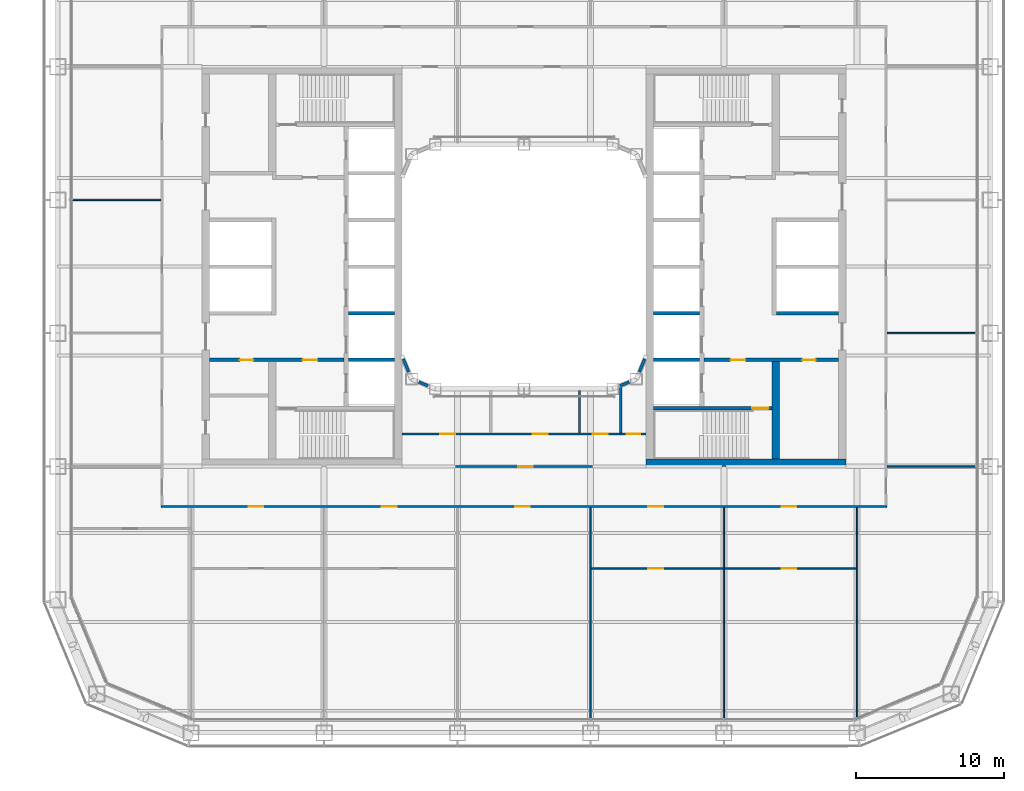
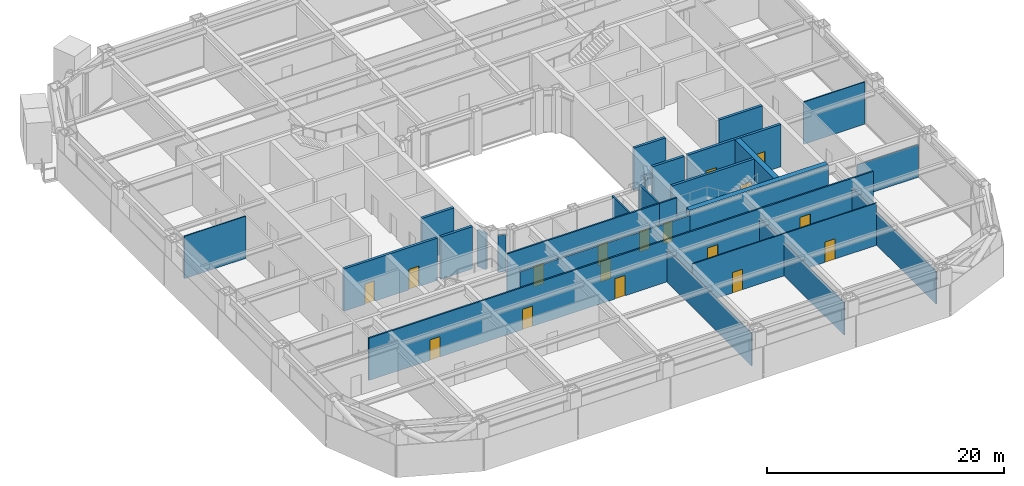
# One storey, part 13 of 28: 28 walls, 17 doors, 17 openings.
"""IFC4 building model written with IfcOpenShell, lengths in metres."""

from ifc_helpers import new_model, si_unit, direction, frame, frame_2d, origin, place, context, subcontext, project, spatial, rectangle, extrude, material, layer, layer_set, type_object, element, fill, save


model = new_model("IFC4")

# Units and contexts
model_context = context("Model", 3, precision=1e-05, world=origin(), true_north=direction((0.0, 1.0)))
body_context = subcontext(model_context, "Body", "Model", "MODEL_VIEW")
ifc_project = project(units=[si_unit("LENGTHUNIT", "METRE"), si_unit("AREAUNIT", "SQUARE_METRE"), si_unit("VOLUMEUNIT", "CUBIC_METRE"), si_unit("PLANEANGLEUNIT", "RADIAN"), si_unit("MASSUNIT", "GRAM", prefix="KILO")], contexts=[model_context])

# Site, building, storey
site_placement = place(None, origin())
site = spatial("IfcSite", under=ifc_project, at=site_placement, CompositionType="ELEMENT")
building_placement = place(site_placement, origin())
building = spatial("IfcBuilding", under=site, at=building_placement, Name="Siwar Civic Tower", CompositionType="ELEMENT")
storey_placement = place(building_placement, frame((0.0, 0.0, 31.199951171875)))
storey = spatial("IfcBuildingStorey", under=building, at=storey_placement, Name="L06", CompositionType="ELEMENT", Elevation=31.199951171875)

# Wall, opening, door
ifc_material_1 = material(Name="Gypsum board on steel studs", Category="steel")
ifc_layer_1 = layer(ifc_material_1, 0.14990234375)
ifc_layer_set_1 = layer_set([ifc_layer_1], Name="Gypsum board on steel studs")
wall_type_1 = type_object("IfcWallType", Name="COMPARTMENT PARTITION 150 EI 60", PredefinedType="PARTITIONING", material=ifc_layer_set_1)
wall_1_placement = place(storey_placement, frame((6.5400390625, -11.300048828125, 0.0), z_axis=(0.0, 0.0, 1.0), x_axis=(1.0, 0.0, 0.0)))
wall_1 = element("IfcWall", 1, at=wall_1_placement, inside=storey, type_object=wall_type_1, Name="L06/wall/P09", PredefinedType="PARTITIONING", context=body_context, shape_type="SweptSolid", body=[
    extrude(rectangle(XDim=1.7099609375, YDim=0.14990234375, at=frame_2d((0.85498046875, 0.0))), origin(), (0.0, 0.0, 1.0), 4.35009765625),
])
opening_1_placement = place(wall_1_placement, frame((0.409912109375, 0.0, 0.0)))
opening_1 = element("IfcOpeningElement", 2, at=opening_1_placement, cuts=wall_1, Name="Opening D4", PredefinedType="OPENING", context=body_context, shape_type="SweptSolid", body=[
    extrude(rectangle(XDim=0.89990234375, YDim=2.10009765625, at=frame_2d((0.449951171875, 1.050048828125))), frame((0.0, 0.0849609375, 0.0), z_axis=(0.0, -1.0, 0.0), x_axis=(1.0, 0.0, 0.0)), (0.0, 0.0, 1.0), 0.169921875),
])
ifc_material_2 = material(Name="Timber, painted", Category="wood")
door_type_1 = type_object("IfcDoorType", Name="DOOR 900 X 2100 FD60", OperationType="SINGLE_SWING_LEFT", PredefinedType="DOOR", material=ifc_material_2)
door_1_placement = place(opening_1_placement, origin())
door_1 = element("IfcDoor", 3, at=door_1_placement, inside=storey, type_object=door_type_1, Name="L06-D37", OperationType="SINGLE_SWING_LEFT", OverallHeight=2.10009765625, OverallWidth=0.89990234375, PredefinedType="DOOR", context=body_context, shape_type="SweptSolid", body=[
    extrude(rectangle(XDim=0.89990234375, YDim=2.10009765625, at=frame_2d((0.449951171875, 1.050048828125))), frame((0.0, 0.02490234375, 0.0), z_axis=(0.0, -1.0, 0.0), x_axis=(1.0, 0.0, 0.0)), (0.0, 0.0, 1.0), 0.050048828125),
])
fill(opening_1, door_1)

# Wall
wall_2_placement = place(storey_placement, frame((6.5400390625, -11.22509765625, 0.0), z_axis=(0.0, 0.0, 1.0), x_axis=(0.0, 1.0, 0.0)))
element("IfcWall", 4, at=wall_2_placement, inside=storey, type_object=wall_type_1, Name="L06/wall/P35", PredefinedType="PARTITIONING", context=body_context, shape_type="SweptSolid", body=[
    extrude(rectangle(XDim=3.049072265625, YDim=0.14990234375, at=frame_2d((1.5244140625, 0.0))), origin(), (0.0, 0.0, 1.0), 4.35009765625),
])

# Wall, openings, doors
ifc_material_3 = material(Name="Concrete C60/75", Category="concrete")
ifc_layer_2 = layer(ifc_material_3, 0.25)
ifc_layer_set_2 = layer_set([ifc_layer_2], Name="Concrete C60/75")
wall_type_2 = type_object("IfcWallType", Name="CORE-WALL-RC250", PredefinedType="SHEAR", material=ifc_layer_set_2)
wall_3_placement = place(storey_placement, frame((-12.14990234375, -6.300048828125, 0.0), z_axis=(0.0, 0.0, 1.0), x_axis=(-1.0, 0.0, 0.0)))
wall_3 = element("IfcWall", 5, at=wall_3_placement, inside=storey, type_object=wall_type_2, Name="Core wall W", PredefinedType="SHEAR", context=body_context, shape_type="SweptSolid", body=[
    extrude(rectangle(XDim=9.10009765625, YDim=0.25, at=frame_2d((4.550048828125, 0.0))), origin(), (0.0, 0.0, 1.0), 4.35009765625),
])
opening_2_placement = place(wall_3_placement, frame((1.800048828125, 0.0, 0.0)))
opening_2 = element("IfcOpeningElement", 6, at=opening_2_placement, cuts=wall_3, Name="Opening L06-CW02", PredefinedType="OPENING", context=body_context, shape_type="SweptSolid", body=[
    extrude(rectangle(XDim=1.0, YDim=2.10009765625, at=frame_2d((0.5, 1.050048828125))), frame((0.0, 0.135009765625, 0.0), z_axis=(0.0, -1.0, 0.0), x_axis=(1.0, 0.0, 0.0)), (0.0, 0.0, 1.0), 0.27001953125),
])
opening_3_placement = place(wall_3_placement, frame((6.14990234375, 0.0, 0.0)))
opening_3 = element("IfcOpeningElement", 7, at=opening_3_placement, cuts=wall_3, Name="Opening L06-CW14", PredefinedType="OPENING", context=body_context, shape_type="SweptSolid", body=[
    extrude(rectangle(XDim=0.89990234375, YDim=2.10009765625, at=frame_2d((0.449951171875, 1.050048828125))), frame((0.0, 0.135009765625, 0.0), z_axis=(0.0, -1.0, 0.0), x_axis=(1.0, 0.0, 0.0)), (0.0, 0.0, 1.0), 0.27001953125),
])
ifc_material_4 = material(Name="Steel door leaf", Category="steel")
door_type_2 = type_object("IfcDoorType", Name="CORE-DOOR-FD30S", OperationType="SINGLE_SWING_LEFT", PredefinedType="DOOR", material=ifc_material_4)
door_2_placement = place(opening_2_placement, origin())
door_2 = element("IfcDoor", 8, at=door_2_placement, inside=storey, type_object=door_type_2, Name="Service lobby door L06-CW02", OperationType="SINGLE_SWING_RIGHT", OverallHeight=2.10009765625, OverallWidth=1.0, PredefinedType="DOOR", context=body_context, shape_type="SweptSolid", body=[
    extrude(rectangle(XDim=1.0, YDim=2.10009765625, at=frame_2d((0.5, 1.050048828125))), frame((0.0, 0.02490234375, 0.0), z_axis=(0.0, -1.0, 0.0), x_axis=(1.0, 0.0, 0.0)), (0.0, 0.0, 1.0), 0.050048828125),
])
fill(opening_2, door_2)
ifc_material_5 = material(Name="Steel door leaf", Category="steel")
door_type_3 = type_object("IfcDoorType", Name="CORE-DOOR-ROOM", OperationType="SINGLE_SWING_LEFT", PredefinedType="DOOR", material=ifc_material_5)
door_3_placement = place(opening_3_placement, origin())
door_3 = element("IfcDoor", 9, at=door_3_placement, inside=storey, type_object=door_type_3, Name="Core room door L06-CW14", OperationType="SINGLE_SWING_RIGHT", OverallHeight=2.10009765625, OverallWidth=0.89990234375, PredefinedType="DOOR", context=body_context, shape_type="SweptSolid", body=[
    extrude(rectangle(XDim=0.89990234375, YDim=2.10009765625, at=frame_2d((0.449951171875, 1.050048828125))), frame((0.0, 0.02490234375, 0.0), z_axis=(0.0, -1.0, 0.0), x_axis=(1.0, 0.0, 0.0)), (0.0, 0.0, 1.0), 0.050048828125),
])
fill(opening_3, door_3)

# Walls
for number, where, z_axis, x_axis, name in (
    (10, (-8.75, -3.14990234375, 0.0), (0.0, 0.0, 1.0), (-1.0, 0.0, 0.0), "Core wall W"),
    (11, (-8.75, -6.300048828125, 0.0), (0.0, 0.0, 1.0), (-1.0, 0.0, 0.0), "Core wall W"),
):
    element("IfcWall", number, at=place(storey_placement, frame(where, z_axis=z_axis, x_axis=x_axis)), inside=storey, type_object=wall_type_2, Name=name, PredefinedType="SHEAR", context=body_context, shape_type="SweptSolid", body=[
        extrude(rectangle(XDim=3.10009765625, YDim=0.25, at=frame_2d((1.550048828125, 0.0))), origin(), (0.0, 0.0, 1.0), 4.35009765625),
    ])

# Wall, openings, doors
wall_4_placement = place(storey_placement, frame((12.14990234375, -6.300048828125, 0.0), z_axis=(0.0, 0.0, 1.0), x_axis=(1.0, 0.0, 0.0)))
wall_4 = element("IfcWall", 12, at=wall_4_placement, inside=storey, type_object=wall_type_2, Name="Core wall E", PredefinedType="SHEAR", context=body_context, shape_type="SweptSolid", body=[
    extrude(rectangle(XDim=9.10009765625, YDim=0.25, at=frame_2d((4.550048828125, 0.0))), origin(), (0.0, 0.0, 1.0), 4.35009765625),
])
opening_4_placement = place(wall_4_placement, frame((1.800048828125, 0.0, 0.0)))
opening_4 = element("IfcOpeningElement", 13, at=opening_4_placement, cuts=wall_4, Name="Opening L06-CE02", PredefinedType="OPENING", context=body_context, shape_type="SweptSolid", body=[
    extrude(rectangle(XDim=1.0, YDim=2.10009765625, at=frame_2d((0.5, 1.050048828125))), frame((0.0, 0.135009765625, 0.0), z_axis=(0.0, -1.0, 0.0), x_axis=(1.0, 0.0, 0.0)), (0.0, 0.0, 1.0), 0.27001953125),
])
opening_5_placement = place(wall_4_placement, frame((6.64990234375, 0.0, 0.0)))
opening_5 = element("IfcOpeningElement", 14, at=opening_5_placement, cuts=wall_4, Name="Opening L06-CE15", PredefinedType="OPENING", context=body_context, shape_type="SweptSolid", body=[
    extrude(rectangle(XDim=0.89990234375, YDim=2.10009765625, at=frame_2d((0.449951171875, 1.050048828125))), frame((0.0, 0.135009765625, 0.0), z_axis=(0.0, -1.0, 0.0), x_axis=(1.0, 0.0, 0.0)), (0.0, 0.0, 1.0), 0.27001953125),
])
door_4_placement = place(opening_4_placement, origin())
door_4 = element("IfcDoor", 15, at=door_4_placement, inside=storey, type_object=door_type_2, Name="Service lobby door L06-CE02", OperationType="SINGLE_SWING_LEFT", OverallHeight=2.10009765625, OverallWidth=1.0, PredefinedType="DOOR", context=body_context, shape_type="SweptSolid", body=[
    extrude(rectangle(XDim=1.0, YDim=2.10009765625, at=frame_2d((0.5, 1.050048828125))), frame((0.0, 0.02490234375, 0.0), z_axis=(0.0, -1.0, 0.0), x_axis=(1.0, 0.0, 0.0)), (0.0, 0.0, 1.0), 0.050048828125),
])
fill(opening_4, door_4)
door_5_placement = place(opening_5_placement, origin())
door_5 = element("IfcDoor", 16, at=door_5_placement, inside=storey, type_object=door_type_3, Name="Core room door L06-CE15", OperationType="SINGLE_SWING_LEFT", OverallHeight=2.10009765625, OverallWidth=0.89990234375, PredefinedType="DOOR", context=body_context, shape_type="SweptSolid", body=[
    extrude(rectangle(XDim=0.89990234375, YDim=2.10009765625, at=frame_2d((0.449951171875, 1.050048828125))), frame((0.0, 0.02490234375, 0.0), z_axis=(0.0, -1.0, 0.0), x_axis=(1.0, 0.0, 0.0)), (0.0, 0.0, 1.0), 0.050048828125),
])
fill(opening_5, door_5)

# Walls
wall_5_placement = place(storey_placement, frame((17.050048828125, -3.14990234375, 0.0), z_axis=(0.0, 0.0, 1.0), x_axis=(1.0, 0.0, 0.0)))
element("IfcWall", 17, at=wall_5_placement, inside=storey, type_object=wall_type_2, Name="Core wall E", PredefinedType="SHEAR", context=body_context, shape_type="SweptSolid", body=[
    extrude(rectangle(XDim=4.199951171875, YDim=0.25, at=frame_2d((2.10009765625, 0.0))), origin(), (0.0, 0.0, 1.0), 4.35009765625),
])
for number, where, z_axis, x_axis, name in (
    (18, (8.75, -3.14990234375, 0.0), (0.0, 0.0, 1.0), (1.0, 0.0, 0.0), "Core wall E"),
    (19, (8.75, -6.300048828125, 0.0), (0.0, 0.0, 1.0), (1.0, 0.0, 0.0), "Core wall E"),
):
    element("IfcWall", number, at=place(storey_placement, frame(where, z_axis=z_axis, x_axis=x_axis)), inside=storey, type_object=wall_type_2, Name=name, PredefinedType="SHEAR", context=body_context, shape_type="SweptSolid", body=[
        extrude(rectangle(XDim=3.10009765625, YDim=0.25, at=frame_2d((1.550048828125, 0.0))), origin(), (0.0, 0.0, 1.0), 4.35009765625),
    ])

# Wall, opening, door
wall_6_placement = place(storey_placement, frame((8.75, -9.574951171875, 0.0), z_axis=(0.0, 0.0, 1.0), x_axis=(1.0, 0.0, 0.0)))
wall_6 = element("IfcWall", 20, at=wall_6_placement, inside=storey, type_object=wall_type_2, Name="Core wall E", PredefinedType="SHEAR", context=body_context, shape_type="SweptSolid", body=[
    extrude(rectangle(XDim=8.0, YDim=0.25, at=frame_2d((4.0, 0.0))), origin(), (0.0, 0.0, 1.0), 4.35009765625),
])
opening_6_placement = place(wall_6_placement, frame((6.64990234375, 0.0, 0.0)))
opening_6 = element("IfcOpeningElement", 21, at=opening_6_placement, cuts=wall_6, Name="Opening L06-CE04", PredefinedType="OPENING", context=body_context, shape_type="SweptSolid", body=[
    extrude(rectangle(XDim=1.10009765625, YDim=2.10009765625, at=frame_2d((0.550048828125, 1.050048828125))), frame((0.0, 0.135009765625, 0.0), z_axis=(0.0, -1.0, 0.0), x_axis=(1.0, 0.0, 0.0)), (0.0, 0.0, 1.0), 0.27001953125),
])
ifc_material_6 = material(Name="Steel door leaf", Category="steel")
door_type_4 = type_object("IfcDoorType", Name="CORE-DOOR-FD60S", OperationType="SINGLE_SWING_LEFT", PredefinedType="DOOR", material=ifc_material_6)
door_6_placement = place(opening_6_placement, origin())
door_6 = element("IfcDoor", 22, at=door_6_placement, inside=storey, type_object=door_type_4, Name="Stair door L06-CE04", OperationType="SINGLE_SWING_RIGHT", OverallHeight=2.10009765625, OverallWidth=1.10009765625, PredefinedType="DOOR", context=body_context, shape_type="SweptSolid", body=[
    extrude(rectangle(XDim=1.10009765625, YDim=2.10009765625, at=frame_2d((0.550048828125, 1.050048828125))), frame((0.0, 0.02490234375, 0.0), z_axis=(0.0, -1.0, 0.0), x_axis=(1.0, 0.0, 0.0)), (0.0, 0.0, 1.0), 0.050048828125),
])
fill(opening_6, door_6)

# Walls
ifc_material_7 = material(Name="Concrete C60/75", Category="concrete")
ifc_layer_3 = layer(ifc_material_7, 0.5)
ifc_layer_set_3 = layer_set([ifc_layer_3], Name="Concrete C60/75")
wall_type_3 = type_object("IfcWallType", Name="CORE-WALL-RC500", PredefinedType="SHEAR", material=ifc_layer_set_3)
wall_7_placement = place(storey_placement, frame((17.0, -13.0, 0.0), z_axis=(0.0, 0.0, 1.0), x_axis=(0.0, 1.0, 0.0)))
element("IfcWall", 23, at=wall_7_placement, inside=storey, type_object=wall_type_3, Name="Core wall E", PredefinedType="SHEAR", context=body_context, shape_type="SweptSolid", body=[
    extrude(rectangle(XDim=6.574951171875, YDim=0.5, at=frame_2d((3.28759765625, 0.0))), origin(), (0.0, 0.0, 1.0), 4.35009765625),
])
wall_8_placement = place(storey_placement, frame((8.25, -13.25, 0.0), z_axis=(0.0, 0.0, 1.0), x_axis=(1.0, 0.0, 0.0)))
element("IfcWall", 24, at=wall_8_placement, inside=storey, type_object=wall_type_3, Name="Core wall E", PredefinedType="SHEAR", context=body_context, shape_type="SweptSolid", body=[
    extrude(rectangle(XDim=13.5, YDim=0.5, at=frame_2d((6.75, 0.0))), origin(), (0.0, 0.0, 1.0), 4.35009765625),
])

# Wall, openings, doors
ifc_material_8 = material(Name="Gypsum board on steel studs", Category="steel")
ifc_layer_4 = layer(ifc_material_8, 0.14990234375)
ifc_layer_set_4 = layer_set([ifc_layer_4], Name="Gypsum board on steel studs")
wall_type_4 = type_object("IfcWallType", Name="CORRIDOR PARTITION 150 EI 30", PredefinedType="PARTITIONING", material=ifc_layer_set_4)
wall_9_placement = place(storey_placement, frame((-24.52490234375, -16.199951171875, 0.0), z_axis=(0.0, 0.0, 1.0), x_axis=(1.0, 0.0, 0.0)))
wall_9 = element("IfcWall", 25, at=wall_9_placement, inside=storey, type_object=wall_type_4, Name="L06/wall/P04", PredefinedType="PARTITIONING", context=body_context, shape_type="SweptSolid", body=[
    extrude(rectangle(XDim=49.0498046875, YDim=0.14990234375, at=frame_2d((24.52490234375, 0.0))), origin(), (0.0, 0.0, 1.0), 4.35009765625),
])
opening_7_placement = place(wall_9_placement, frame((5.925048828125, 0.0, 0.0)))
opening_7 = element("IfcOpeningElement", 26, at=opening_7_placement, cuts=wall_9, Name="Opening D1", PredefinedType="OPENING", context=body_context, shape_type="SweptSolid", body=[
    extrude(rectangle(XDim=1.0, YDim=2.10009765625, at=frame_2d((0.5, 1.050048828125))), frame((0.0, 0.0849609375, 0.0), z_axis=(0.0, -1.0, 0.0), x_axis=(1.0, 0.0, 0.0)), (0.0, 0.0, 1.0), 0.169921875),
])
opening_8_placement = place(wall_9_placement, frame((14.925048828125, 0.0, 0.0)))
opening_8 = element("IfcOpeningElement", 27, at=opening_8_placement, cuts=wall_9, Name="Opening D1", PredefinedType="OPENING", context=body_context, shape_type="SweptSolid", body=[
    extrude(rectangle(XDim=1.0, YDim=2.10009765625, at=frame_2d((0.5, 1.050048828125))), frame((0.0, 0.0849609375, 0.0), z_axis=(0.0, -1.0, 0.0), x_axis=(1.0, 0.0, 0.0)), (0.0, 0.0, 1.0), 0.169921875),
])
opening_9_placement = place(wall_9_placement, frame((23.925048828125, 0.0, 0.0)))
opening_9 = element("IfcOpeningElement", 28, at=opening_9_placement, cuts=wall_9, Name="Opening D1", PredefinedType="OPENING", context=body_context, shape_type="SweptSolid", body=[
    extrude(rectangle(XDim=1.0, YDim=2.10009765625, at=frame_2d((0.5, 1.050048828125))), frame((0.0, 0.0849609375, 0.0), z_axis=(0.0, -1.0, 0.0), x_axis=(1.0, 0.0, 0.0)), (0.0, 0.0, 1.0), 0.169921875),
])
opening_10_placement = place(wall_9_placement, frame((32.925048828125, 0.0, 0.0)))
opening_10 = element("IfcOpeningElement", 29, at=opening_10_placement, cuts=wall_9, Name="Opening D1", PredefinedType="OPENING", context=body_context, shape_type="SweptSolid", body=[
    extrude(rectangle(XDim=1.0, YDim=2.10009765625, at=frame_2d((0.5, 1.050048828125))), frame((0.0, 0.0849609375, 0.0), z_axis=(0.0, -1.0, 0.0), x_axis=(1.0, 0.0, 0.0)), (0.0, 0.0, 1.0), 0.169921875),
])
opening_11_placement = place(wall_9_placement, frame((41.925048828125, 0.0, 0.0)))
opening_11 = element("IfcOpeningElement", 30, at=opening_11_placement, cuts=wall_9, Name="Opening D1", PredefinedType="OPENING", context=body_context, shape_type="SweptSolid", body=[
    extrude(rectangle(XDim=1.0, YDim=2.10009765625, at=frame_2d((0.5, 1.050048828125))), frame((0.0, 0.0849609375, 0.0), z_axis=(0.0, -1.0, 0.0), x_axis=(1.0, 0.0, 0.0)), (0.0, 0.0, 1.0), 0.169921875),
])
ifc_material_9 = material(Name="Timber, painted", Category="wood")
door_type_5 = type_object("IfcDoorType", Name="DOOR 1000 X 2100 FD30", OperationType="SINGLE_SWING_LEFT", PredefinedType="DOOR", material=ifc_material_9)
door_7_placement = place(opening_7_placement, origin())
door_7 = element("IfcDoor", 31, at=door_7_placement, inside=storey, type_object=door_type_5, Name="L06-D11", OperationType="SINGLE_SWING_LEFT", OverallHeight=2.10009765625, OverallWidth=1.0, PredefinedType="DOOR", context=body_context, shape_type="SweptSolid", body=[
    extrude(rectangle(XDim=1.0, YDim=2.10009765625, at=frame_2d((0.5, 1.050048828125))), frame((0.0, 0.02490234375, 0.0), z_axis=(0.0, -1.0, 0.0), x_axis=(1.0, 0.0, 0.0)), (0.0, 0.0, 1.0), 0.050048828125),
])
fill(opening_7, door_7)
door_8_placement = place(opening_8_placement, origin())
door_8 = element("IfcDoor", 32, at=door_8_placement, inside=storey, type_object=door_type_5, Name="L06-D13", OperationType="SINGLE_SWING_LEFT", OverallHeight=2.10009765625, OverallWidth=1.0, PredefinedType="DOOR", context=body_context, shape_type="SweptSolid", body=[
    extrude(rectangle(XDim=1.0, YDim=2.10009765625, at=frame_2d((0.5, 1.050048828125))), frame((0.0, 0.02490234375, 0.0), z_axis=(0.0, -1.0, 0.0), x_axis=(1.0, 0.0, 0.0)), (0.0, 0.0, 1.0), 0.050048828125),
])
fill(opening_8, door_8)
door_9_placement = place(opening_9_placement, origin())
door_9 = element("IfcDoor", 33, at=door_9_placement, inside=storey, type_object=door_type_5, Name="L06-D15", OperationType="SINGLE_SWING_LEFT", OverallHeight=2.10009765625, OverallWidth=1.0, PredefinedType="DOOR", context=body_context, shape_type="SweptSolid", body=[
    extrude(rectangle(XDim=1.0, YDim=2.10009765625, at=frame_2d((0.5, 1.050048828125))), frame((0.0, 0.02490234375, 0.0), z_axis=(0.0, -1.0, 0.0), x_axis=(1.0, 0.0, 0.0)), (0.0, 0.0, 1.0), 0.050048828125),
])
fill(opening_9, door_9)
door_10_placement = place(opening_10_placement, origin())
door_10 = element("IfcDoor", 34, at=door_10_placement, inside=storey, type_object=door_type_5, Name="L06-D16", OperationType="SINGLE_SWING_RIGHT", OverallHeight=2.10009765625, OverallWidth=1.0, PredefinedType="DOOR", context=body_context, shape_type="SweptSolid", body=[
    extrude(rectangle(XDim=1.0, YDim=2.10009765625, at=frame_2d((0.5, 1.050048828125))), frame((0.0, 0.02490234375, 0.0), z_axis=(0.0, -1.0, 0.0), x_axis=(1.0, 0.0, 0.0)), (0.0, 0.0, 1.0), 0.050048828125),
])
fill(opening_10, door_10)
door_11_placement = place(opening_11_placement, origin())
door_11 = element("IfcDoor", 35, at=door_11_placement, inside=storey, type_object=door_type_5, Name="L06-D18", OperationType="SINGLE_SWING_RIGHT", OverallHeight=2.10009765625, OverallWidth=1.0, PredefinedType="DOOR", context=body_context, shape_type="SweptSolid", body=[
    extrude(rectangle(XDim=1.0, YDim=2.10009765625, at=frame_2d((0.5, 1.050048828125))), frame((0.0, 0.02490234375, 0.0), z_axis=(0.0, -1.0, 0.0), x_axis=(1.0, 0.0, 0.0)), (0.0, 0.0, 1.0), 0.050048828125),
])
fill(opening_11, door_11)

# Wall, opening, door
wall_10_placement = place(storey_placement, frame((-8.25, -13.5, 0.0), z_axis=(0.0, 0.0, 1.0), x_axis=(1.0, 0.0, 0.0)))
wall_10 = element("IfcWall", 36, at=wall_10_placement, inside=storey, type_object=wall_type_4, Name="L06/wall/P07", PredefinedType="PARTITIONING", context=body_context, shape_type="SweptSolid", body=[
    extrude(rectangle(XDim=16.5, YDim=0.14990234375, at=frame_2d((8.25, 0.0))), origin(), (0.0, 0.0, 1.0), 3.85009765625),
])
opening_12_placement = place(wall_10_placement, frame((7.85009765625, 0.0, 0.0)))
opening_12 = element("IfcOpeningElement", 37, at=opening_12_placement, cuts=wall_10, Name="Opening D1", PredefinedType="OPENING", context=body_context, shape_type="SweptSolid", body=[
    extrude(rectangle(XDim=1.0, YDim=2.10009765625, at=frame_2d((0.5, 1.050048828125))), frame((0.0, 0.0849609375, 0.0), z_axis=(0.0, -1.0, 0.0), x_axis=(1.0, 0.0, 0.0)), (0.0, 0.0, 1.0), 0.169921875),
])
door_12_placement = place(opening_12_placement, origin())
door_12 = element("IfcDoor", 38, at=door_12_placement, inside=storey, type_object=door_type_5, Name="L06-D33", OperationType="SINGLE_SWING_LEFT", OverallHeight=2.10009765625, OverallWidth=1.0, PredefinedType="DOOR", context=body_context, shape_type="SweptSolid", body=[
    extrude(rectangle(XDim=1.0, YDim=2.10009765625, at=frame_2d((0.5, 1.050048828125))), frame((0.0, 0.02490234375, 0.0), z_axis=(0.0, -1.0, 0.0), x_axis=(1.0, 0.0, 0.0)), (0.0, 0.0, 1.0), 0.050048828125),
])
fill(opening_12, door_12)

# Wall, openings, doors
wall_11_placement = place(storey_placement, frame((-8.25, -11.300048828125, 0.0), z_axis=(0.0, 0.0, 1.0), x_axis=(1.0, 0.0, 0.0)))
wall_11 = element("IfcWall", 39, at=wall_11_placement, inside=storey, type_object=wall_type_4, Name="L06/wall/P08", PredefinedType="PARTITIONING", context=body_context, shape_type="SweptSolid", body=[
    extrude(rectangle(XDim=14.7900390625, YDim=0.14990234375, at=frame_2d((7.39501953125, 0.0))), origin(), (0.0, 0.0, 1.0), 4.35009765625),
])
opening_13_placement = place(wall_11_placement, frame((2.60009765625, 0.0, 0.0)))
opening_13 = element("IfcOpeningElement", 40, at=opening_13_placement, cuts=wall_11, Name="Opening D3", PredefinedType="OPENING", context=body_context, shape_type="SweptSolid", body=[
    extrude(rectangle(XDim=1.0, YDim=2.10009765625, at=frame_2d((0.5, 1.050048828125))), frame((0.0, 0.0849609375, 0.0), z_axis=(0.0, -1.0, 0.0), x_axis=(1.0, 0.0, 0.0)), (0.0, 0.0, 1.0), 0.169921875),
])
opening_14_placement = place(wall_11_placement, frame((8.85009765625, 0.0, 0.0)))
opening_14 = element("IfcOpeningElement", 41, at=opening_14_placement, cuts=wall_11, Name="Opening D3", PredefinedType="OPENING", context=body_context, shape_type="SweptSolid", body=[
    extrude(rectangle(XDim=1.0, YDim=2.10009765625, at=frame_2d((0.5, 1.050048828125))), frame((0.0, 0.0849609375, 0.0), z_axis=(0.0, -1.0, 0.0), x_axis=(1.0, 0.0, 0.0)), (0.0, 0.0, 1.0), 0.169921875),
])
opening_15_placement = place(wall_11_placement, frame((12.889892578125, 0.0, 0.0)))
opening_15 = element("IfcOpeningElement", 42, at=opening_15_placement, cuts=wall_11, Name="Opening D3", PredefinedType="OPENING", context=body_context, shape_type="SweptSolid", body=[
    extrude(rectangle(XDim=1.0, YDim=2.10009765625, at=frame_2d((0.5, 1.050048828125))), frame((0.0, 0.0849609375, 0.0), z_axis=(0.0, -1.0, 0.0), x_axis=(1.0, 0.0, 0.0)), (0.0, 0.0, 1.0), 0.169921875),
])
ifc_material_10 = material(Name="Timber, painted", Category="wood")
door_type_6 = type_object("IfcDoorType", Name="DOOR 1000 X 2100 WC", OperationType="SINGLE_SWING_LEFT", PredefinedType="DOOR", material=ifc_material_10)
door_13_placement = place(opening_13_placement, origin())
door_13 = element("IfcDoor", 43, at=door_13_placement, inside=storey, type_object=door_type_6, Name="L06-D34", OperationType="SINGLE_SWING_RIGHT", OverallHeight=2.10009765625, OverallWidth=1.0, PredefinedType="DOOR", context=body_context, shape_type="SweptSolid", body=[
    extrude(rectangle(XDim=1.0, YDim=2.10009765625, at=frame_2d((0.5, 1.050048828125))), frame((0.0, 0.02490234375, 0.0), z_axis=(0.0, -1.0, 0.0), x_axis=(1.0, 0.0, 0.0)), (0.0, 0.0, 1.0), 0.050048828125),
])
fill(opening_13, door_13)
door_14_placement = place(opening_14_placement, origin())
door_14 = element("IfcDoor", 44, at=door_14_placement, inside=storey, type_object=door_type_6, Name="L06-D35", OperationType="SINGLE_SWING_LEFT", OverallHeight=2.10009765625, OverallWidth=1.0, PredefinedType="DOOR", context=body_context, shape_type="SweptSolid", body=[
    extrude(rectangle(XDim=1.0, YDim=2.10009765625, at=frame_2d((0.5, 1.050048828125))), frame((0.0, 0.02490234375, 0.0), z_axis=(0.0, -1.0, 0.0), x_axis=(1.0, 0.0, 0.0)), (0.0, 0.0, 1.0), 0.050048828125),
])
fill(opening_14, door_14)
door_15_placement = place(opening_15_placement, origin())
door_15 = element("IfcDoor", 45, at=door_15_placement, inside=storey, type_object=door_type_6, Name="L06-D36", OperationType="SINGLE_SWING_RIGHT", OverallHeight=2.10009765625, OverallWidth=1.0, PredefinedType="DOOR", context=body_context, shape_type="SweptSolid", body=[
    extrude(rectangle(XDim=1.0, YDim=2.10009765625, at=frame_2d((0.5, 1.050048828125))), frame((0.0, 0.02490234375, 0.0), z_axis=(0.0, -1.0, 0.0), x_axis=(1.0, 0.0, 0.0)), (0.0, 0.0, 1.0), 0.050048828125),
])
fill(opening_15, door_15)

# Walls
wall_12_placement = place(storey_placement, frame((3.75, -11.22509765625, 0.0), z_axis=(0.0, 0.0, 1.0), x_axis=(0.0, 1.0, 0.0)))
element("IfcWall", 46, at=wall_12_placement, inside=storey, type_object=wall_type_4, Name="L06/wall/P32", PredefinedType="PARTITIONING", context=body_context, shape_type="SweptSolid", body=[
    extrude(rectangle(XDim=2.85498046875, YDim=0.14990234375, at=frame_2d((1.427490234375, 0.0))), origin(), (0.0, 0.0, 1.0), 4.35009765625),
])
ifc_material_11 = material(Name="Aluminium clad insulated panel", Category="aluminium")
ifc_layer_5 = layer(ifc_material_11, 0.199951171875)
ifc_layer_set_5 = layer_set([ifc_layer_5], Name="Aluminium clad insulated panel")
wall_type_5 = type_object("IfcWallType", Name="ENV-WALL-WELL", PredefinedType="STANDARD", material=ifc_layer_set_5)
wall_13_placement = place(storey_placement, frame((6.48291015625, -8.050048828125, 0.0), z_axis=(0.0, 0.0, 1.0), x_axis=(0.923854141361, 0.382744726273, 0.0)))
element("IfcWall", 47, at=wall_13_placement, inside=storey, type_object=wall_type_5, Name="Light well corner wall SE1", PredefinedType="STANDARD", context=body_context, shape_type="SweptSolid", body=[
    extrude(rectangle(XDim=0.6767578125, YDim=0.199951171875, at=frame_2d((0.33837890625, 0.0))), origin(), (0.0, 0.0, 1.0), 3.72998046875),
])
for number, where, z_axis, x_axis, name in (
    (48, (7.791015625, -7.108154296875, 0.0), (0.0, 0.0, 1.0), (0.382624318388, 0.923904016107, 0.0), "Light well corner wall SE2"),
    (49, (-8.154296875, -6.23095703125, 0.0), (0.0, 0.0, 1.0), (0.382624318388, -0.923904016107, 0.0), "Light well corner wall SW1"),
):
    element("IfcWall", number, at=place(storey_placement, frame(where, z_axis=z_axis, x_axis=x_axis)), inside=storey, type_object=wall_type_5, Name=name, PredefinedType="STANDARD", context=body_context, shape_type="SweptSolid", body=[
        extrude(rectangle(XDim=0.949462890625, YDim=0.199951171875, at=frame_2d((0.474609375, 0.0))), origin(), (0.0, 0.0, 1.0), 3.72998046875),
    ])
wall_14_placement = place(storey_placement, frame((-7.108154296875, -7.791015625, 0.0), z_axis=(0.0, 0.0, 1.0), x_axis=(0.923854141361, -0.382744726273, 0.0)))
element("IfcWall", 50, at=wall_14_placement, inside=storey, type_object=wall_type_5, Name="Light well corner wall SW2", PredefinedType="STANDARD", context=body_context, shape_type="SweptSolid", body=[
    extrude(rectangle(XDim=0.6767578125, YDim=0.199951171875, at=frame_2d((0.33837890625, 0.0))), origin(), (0.0, 0.0, 1.0), 3.72998046875),
])

# Wall, openings, doors
ifc_material_12 = material(Name="Gypsum board on steel studs", Category="steel")
ifc_layer_6 = layer(ifc_material_12, 0.10009765625)
ifc_layer_set_6 = layer_set([ifc_layer_6], Name="Gypsum board on steel studs")
wall_type_6 = type_object("IfcWallType", Name="PARTITION 100 GYPSUM", PredefinedType="PARTITIONING", material=ifc_layer_set_6)
wall_15_placement = place(storey_placement, frame((4.550048828125, -20.39990234375, 0.0), z_axis=(0.0, 0.0, 1.0), x_axis=(1.0, 0.0, 0.0)))
wall_15 = element("IfcWall", 51, at=wall_15_placement, inside=storey, type_object=wall_type_6, Name="L06/wall/P02", PredefinedType="PARTITIONING", context=body_context, shape_type="SweptSolid", body=[
    extrude(rectangle(XDim=17.89990234375, YDim=0.10009765625, at=frame_2d((8.949951171875, 0.0))), origin(), (0.0, 0.0, 1.0), 4.35009765625),
])
opening_16_placement = place(wall_15_placement, frame((3.85009765625, 0.0, 0.0)))
opening_16 = element("IfcOpeningElement", 52, at=opening_16_placement, cuts=wall_15, Name="Opening D2", PredefinedType="OPENING", context=body_context, shape_type="SweptSolid", body=[
    extrude(rectangle(XDim=1.0, YDim=2.10009765625, at=frame_2d((0.5, 1.050048828125))), frame((0.0, 0.06005859375, 0.0), z_axis=(0.0, -1.0, 0.0), x_axis=(1.0, 0.0, 0.0)), (0.0, 0.0, 1.0), 0.1201171875),
])
opening_17_placement = place(wall_15_placement, frame((12.85009765625, 0.0, 0.0)))
opening_17 = element("IfcOpeningElement", 53, at=opening_17_placement, cuts=wall_15, Name="Opening D2", PredefinedType="OPENING", context=body_context, shape_type="SweptSolid", body=[
    extrude(rectangle(XDim=1.0, YDim=2.10009765625, at=frame_2d((0.5, 1.050048828125))), frame((0.0, 0.06005859375, 0.0), z_axis=(0.0, -1.0, 0.0), x_axis=(1.0, 0.0, 0.0)), (0.0, 0.0, 1.0), 0.1201171875),
])
ifc_material_13 = material(Name="Timber, painted", Category="wood")
door_type_7 = type_object("IfcDoorType", Name="DOOR 1000 X 2100", OperationType="SINGLE_SWING_LEFT", PredefinedType="DOOR", material=ifc_material_13)
door_16_placement = place(opening_16_placement, origin())
door_16 = element("IfcDoor", 54, at=door_16_placement, inside=storey, type_object=door_type_7, Name="L06-D17", OperationType="SINGLE_SWING_LEFT", OverallHeight=2.10009765625, OverallWidth=1.0, PredefinedType="DOOR", context=body_context, shape_type="SweptSolid", body=[
    extrude(rectangle(XDim=1.0, YDim=2.10009765625, at=frame_2d((0.5, 1.050048828125))), frame((0.0, 0.02490234375, 0.0), z_axis=(0.0, -1.0, 0.0), x_axis=(1.0, 0.0, 0.0)), (0.0, 0.0, 1.0), 0.050048828125),
])
fill(opening_16, door_16)
door_17_placement = place(opening_17_placement, origin())
door_17 = element("IfcDoor", 55, at=door_17_placement, inside=storey, type_object=door_type_7, Name="L06-D19", OperationType="SINGLE_SWING_LEFT", OverallHeight=2.10009765625, OverallWidth=1.0, PredefinedType="DOOR", context=body_context, shape_type="SweptSolid", body=[
    extrude(rectangle(XDim=1.0, YDim=2.10009765625, at=frame_2d((0.5, 1.050048828125))), frame((0.0, 0.02490234375, 0.0), z_axis=(0.0, -1.0, 0.0), x_axis=(1.0, 0.0, 0.0)), (0.0, 0.0, 1.0), 0.050048828125),
])
fill(opening_17, door_17)

# Walls
wall_16_placement = place(storey_placement, frame((24.52490234375, -13.5, 0.0), z_axis=(0.0, 0.0, 1.0), x_axis=(1.0, 0.0, 0.0)))
element("IfcWall", 56, at=wall_16_placement, inside=storey, type_object=wall_type_6, Name="L06/wall/P06", PredefinedType="PARTITIONING", context=body_context, shape_type="SweptSolid", body=[
    extrude(rectangle(XDim=5.985107421875, YDim=0.10009765625, at=frame_2d((2.99267578125, 0.0))), origin(), (0.0, 0.0, 1.0), 3.35009765625),
])
for number, where, z_axis, x_axis, name in (
    (57, (24.52490234375, -4.5, 0.0), (0.0, 0.0, 1.0), (1.0, 0.0, 0.0), "L06/wall/P11"),
    (58, (-30.510009765625, 4.5, 0.0), (0.0, 0.0, 1.0), (1.0, 0.0, 0.0), "L06/wall/P12"),
):
    element("IfcWall", number, at=place(storey_placement, frame(where, z_axis=z_axis, x_axis=x_axis)), inside=storey, type_object=wall_type_6, Name=name, PredefinedType="PARTITIONING", context=body_context, shape_type="SweptSolid", body=[
        extrude(rectangle(XDim=5.985107421875, YDim=0.10009765625, at=frame_2d((2.99267578125, 0.0))), origin(), (0.0, 0.0, 1.0), 4.35009765625),
    ])
wall_17_placement = place(storey_placement, frame((4.5, -30.510009765625, 0.0), z_axis=(0.0, 0.0, 1.0), x_axis=(0.0, 1.0, 0.0)))
element("IfcWall", 59, at=wall_17_placement, inside=storey, type_object=wall_type_6, Name="L06/wall/P33", PredefinedType="PARTITIONING", context=body_context, shape_type="SweptSolid", body=[
    extrude(rectangle(XDim=14.235107421875, YDim=0.10009765625, at=frame_2d((7.11767578125, 0.0))), origin(), (0.0, 0.0, 1.0), 3.35009765625),
])
wall_18_placement = place(storey_placement, frame((13.5, -30.510009765625, 0.0), z_axis=(0.0, 0.0, 1.0), x_axis=(0.0, 1.0, 0.0)))
element("IfcWall", 60, at=wall_18_placement, inside=storey, type_object=wall_type_6, Name="L06/wall/P36", PredefinedType="PARTITIONING", context=body_context, shape_type="SweptSolid", body=[
    extrude(rectangle(XDim=10.06005859375, YDim=0.10009765625, at=frame_2d((5.030029296875, 0.0))), origin(), (0.0, 0.0, 1.0), 3.35009765625),
])
wall_19_placement = place(storey_placement, frame((13.5, -20.35009765625, 0.0), z_axis=(0.0, 0.0, 1.0), x_axis=(0.0, 1.0, 0.0)))
element("IfcWall", 61, at=wall_19_placement, inside=storey, type_object=wall_type_6, Name="L06/wall/P37", PredefinedType="PARTITIONING", context=body_context, shape_type="SweptSolid", body=[
    extrude(rectangle(XDim=4.0751953125, YDim=0.10009765625, at=frame_2d((2.03759765625, 0.0))), origin(), (0.0, 0.0, 1.0), 3.35009765625),
])
wall_20_placement = place(storey_placement, frame((22.5, -30.427978515625, 0.0), z_axis=(0.0, 0.0, 1.0), x_axis=(0.0, 1.0, 0.0)))
element("IfcWall", 62, at=wall_20_placement, inside=storey, type_object=wall_type_6, Name="L06/wall/P40", PredefinedType="PARTITIONING", context=body_context, shape_type="SweptSolid", body=[
    extrude(rectangle(XDim=14.153076171875, YDim=0.10009765625, at=frame_2d((7.07666015625, 0.0))), origin(), (0.0, 0.0, 1.0), 3.35009765625),
])

save(model, "model.ifc")
